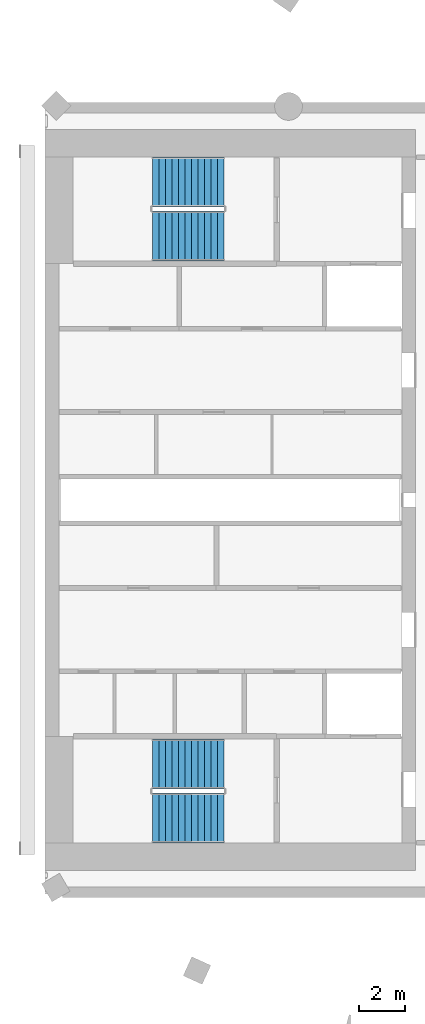
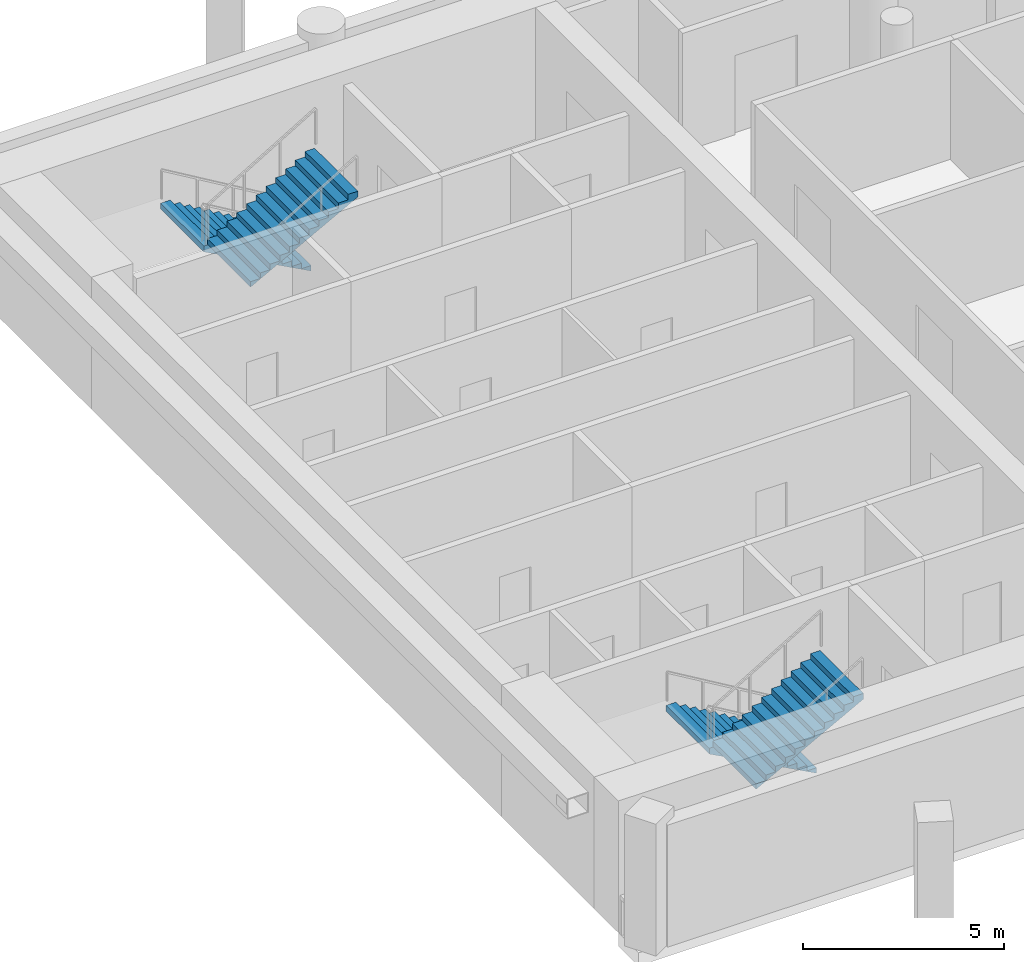
# One storey, part 5 of 9: 4 stair flights, 2 elements without a shape of their own.
"""IFC4 building model written with IfcOpenShell, lengths in metres."""

from ifc_helpers import new_model, si_unit, direction, frame, origin, place, context, subcontext, project, spatial, triangles, material, type_object, element, aggregate, save


model = new_model("IFC4")

# Units and contexts
model_context = context("Model", 3, precision=1e-05, world=origin(), true_north=direction((0.0, 1.0)))
body_context = subcontext(model_context, "Body", "Model", "MODEL_VIEW")
ifc_project = project(units=[si_unit("LENGTHUNIT", "METRE"), si_unit("AREAUNIT", "SQUARE_METRE"), si_unit("VOLUMEUNIT", "CUBIC_METRE"), si_unit("PLANEANGLEUNIT", "RADIAN"), si_unit("MASSUNIT", "GRAM", prefix="KILO")], contexts=[model_context])

# Site, building, storey
site_placement = place(None, origin())
site = spatial("IfcSite", under=ifc_project, at=site_placement, CompositionType="ELEMENT")
building_placement = place(site_placement, origin())
building = spatial("IfcBuilding", under=site, at=building_placement, Name="Cypress Arch Tower", CompositionType="ELEMENT")
storey_placement = place(building_placement, frame((0.0, 0.0, 335.0)))
storey = spatial("IfcBuildingStorey", under=building, at=storey_placement, Name="L76", CompositionType="ELEMENT", Elevation=335.0)

# Stair, stair flights
ifc_material_1 = material(Name="Concrete C40/50", Category="concrete")
stair_type = type_object("IfcStairType", Name="Exit stair ES1667-215", PredefinedType="HALF_TURN_STAIR", material=ifc_material_1)
stair_1_placement = place(storey_placement, origin())
stair_1 = element("IfcStair", 1, at=stair_1_placement, inside=storey, type_object=stair_type, Name="L76 Exit stair A", PredefinedType="HALF_TURN_STAIR")
ifc_material_2 = material(Name="Concrete C40/50", Category="concrete")
stair_flight_type = type_object("IfcStairFlightType", Name="Exit stair flight ES1667-215", PredefinedType="STRAIGHT", material=ifc_material_2)
stair_flight_1_placement = place(storey_placement, frame((-22.27490234375, -11.39990234375, 0.0), z_axis=(0.0, 0.0, 1.0), x_axis=(-1.0, 0.0, 0.0)))
stair_flight_1 = element("IfcStairFlight", 2, at=stair_flight_1_placement, type_object=stair_flight_type, Name="A flight 1", NumberOfRisers=12, NumberOfTreads=11, PredefinedType="STRAIGHT", RiserHeight=0.166666667, TreadLength=0.28, context=body_context, shape_type="Tessellation", body=[
    triangles([(0.0, -1.074951171875, 0.0), (0.000244140625, -1.074951171875, 0.0185546875), (0.000244140625, -1.074951171875, 0.037109375), (0.00048828125, -1.074951171875, 0.0556640625), (0.00048828125, -1.074951171875, 0.07421875), (0.00048828125, -1.074951171875, 0.092529296875), (0.00048828125, -1.074951171875, 0.111083984375), (0.000244140625, -1.074951171875, 0.129638671875), (0.000244140625, -1.074951171875, 0.148193359375), (0.0, -1.074951171875, 0.166748046875), (0.280029296875, -1.074951171875, 0.166748046875), (0.280029296875, -1.074951171875, 0.333251953125), (0.56005859375, -1.074951171875, 0.333251953125), (0.56005859375, -1.074951171875, 0.5), (0.840087890625, -1.074951171875, 0.5), (0.840087890625, -1.074951171875, 0.666748046875), (1.1201171875, -1.074951171875, 0.666748046875), (1.1201171875, -1.074951171875, 0.833251953125), (1.39990234375, -1.074951171875, 0.833251953125), (1.39990234375, -1.074951171875, 1.0), (1.679931640625, -1.074951171875, 1.0), (1.679931640625, -1.074951171875, 1.166748046875), (1.9599609375, -1.074951171875, 1.166748046875), (1.9599609375, -1.074951171875, 1.333251953125), (2.239990234375, -1.074951171875, 1.333251953125), (2.239990234375, -1.074951171875, 1.5), (2.52001953125, -1.074951171875, 1.5), (2.52001953125, -1.074951171875, 1.666748046875), (2.800048828125, -1.074951171875, 1.666748046875), (2.800048828125, -1.074951171875, 1.833251953125), (3.080078125, -1.074951171875, 1.833251953125), (3.079833984375, -1.074951171875, 1.81396484375), (3.079833984375, -1.074951171875, 1.79443359375), (3.07958984375, -1.074951171875, 1.775146484375), (3.07958984375, -1.074951171875, 1.755859375), (3.07958984375, -1.074951171875, 1.736328125), (3.07958984375, -1.074951171875, 1.717041015625), (3.079833984375, -1.074951171875, 1.69775390625), (3.079833984375, -1.074951171875, 1.67822265625), (3.080078125, -1.074951171875, 1.658935546875), (3.080078125, 1.074951171875, 1.658935546875), (3.079833984375, 1.074951171875, 1.67822265625), (3.079833984375, 1.074951171875, 1.69775390625), (3.07958984375, 1.074951171875, 1.717041015625), (3.07958984375, 1.074951171875, 1.736328125), (3.07958984375, 1.074951171875, 1.755859375), (3.07958984375, 1.074951171875, 1.775146484375), (3.079833984375, 1.074951171875, 1.79443359375), (3.079833984375, 1.074951171875, 1.81396484375), (3.080078125, 1.074951171875, 1.833251953125), (2.800048828125, 1.074951171875, 1.833251953125), (2.800048828125, 1.074951171875, 1.666748046875), (2.52001953125, 1.074951171875, 1.666748046875), (2.52001953125, 1.074951171875, 1.5), (2.239990234375, 1.074951171875, 1.5), (2.239990234375, 1.074951171875, 1.333251953125), (1.9599609375, 1.074951171875, 1.333251953125), (1.9599609375, 1.074951171875, 1.166748046875), (1.679931640625, 1.074951171875, 1.166748046875), (1.679931640625, 1.074951171875, 1.0), (1.39990234375, 1.074951171875, 1.0), (1.39990234375, 1.074951171875, 0.833251953125), (1.1201171875, 1.074951171875, 0.833251953125), (1.1201171875, 1.074951171875, 0.666748046875), (0.840087890625, 1.074951171875, 0.666748046875), (0.840087890625, 1.074951171875, 0.5), (0.56005859375, 1.074951171875, 0.5), (0.56005859375, 1.074951171875, 0.333251953125), (0.280029296875, 1.074951171875, 0.333251953125), (0.280029296875, 1.074951171875, 0.166748046875), (0.0, 1.074951171875, 0.166748046875), (0.000244140625, 1.074951171875, 0.148193359375), (0.000244140625, 1.074951171875, 0.129638671875), (0.00048828125, 1.074951171875, 0.111083984375), (0.00048828125, 1.074951171875, 0.092529296875), (0.00048828125, 1.074951171875, 0.07421875), (0.00048828125, 1.074951171875, 0.0556640625), (0.000244140625, 1.074951171875, 0.037109375), (0.000244140625, 1.074951171875, 0.0185546875), (0.0, 1.074951171875, 0.0)], [[40, 39, 30], [39, 38, 30], [38, 37, 30], [37, 36, 30], [36, 35, 30], [35, 34, 30], [34, 33, 30], [33, 32, 30], [32, 31, 30], [29, 28, 27], [27, 26, 25], [23, 22, 21], [21, 20, 19], [17, 16, 15], [15, 14, 13], [10, 9, 11], [9, 8, 11], [8, 7, 11], [7, 6, 11], [6, 5, 11], [5, 4, 11], [4, 3, 11], [3, 2, 11], [2, 1, 11], [19, 18, 17], [25, 24, 23], [13, 12, 11], [40, 30, 29], [40, 29, 27], [40, 27, 25], [40, 25, 23], [40, 23, 21], [40, 21, 19], [40, 19, 17], [40, 17, 15], [40, 15, 13], [1, 40, 13], [13, 11, 1], [41, 51, 42], [42, 51, 43], [43, 51, 44], [44, 51, 45], [45, 51, 46], [46, 51, 47], [47, 51, 48], [48, 51, 49], [49, 51, 50], [52, 54, 53], [54, 56, 55], [58, 60, 59], [60, 62, 61], [64, 66, 65], [66, 68, 67], [71, 70, 72], [72, 70, 73], [73, 70, 74], [74, 70, 75], [75, 70, 76], [76, 70, 77], [77, 70, 78], [78, 70, 79], [79, 70, 80], [62, 64, 63], [56, 58, 57], [68, 70, 69], [41, 52, 51], [41, 54, 52], [41, 56, 54], [41, 58, 56], [41, 60, 58], [41, 62, 60], [41, 64, 62], [41, 66, 64], [41, 68, 66], [80, 68, 41], [68, 80, 70], [41, 42, 39], [41, 39, 40], [42, 43, 38], [42, 38, 39], [43, 44, 37], [43, 37, 38], [44, 45, 36], [44, 36, 37], [45, 46, 35], [45, 35, 36], [46, 47, 34], [46, 34, 35], [47, 48, 33], [47, 33, 34], [48, 49, 32], [48, 32, 33], [49, 50, 31], [49, 31, 32], [50, 51, 30], [50, 30, 31], [51, 52, 29], [51, 29, 30], [52, 53, 28], [52, 28, 29], [53, 54, 27], [53, 27, 28], [54, 55, 26], [54, 26, 27], [55, 56, 25], [55, 25, 26], [56, 57, 24], [56, 24, 25], [57, 58, 23], [57, 23, 24], [58, 59, 22], [58, 22, 23], [59, 60, 21], [59, 21, 22], [60, 61, 20], [60, 20, 21], [61, 62, 19], [61, 19, 20], [62, 63, 18], [62, 18, 19], [63, 64, 17], [63, 17, 18], [64, 65, 16], [64, 16, 17], [65, 66, 15], [65, 15, 16], [66, 67, 14], [66, 14, 15], [67, 68, 13], [67, 13, 14], [68, 69, 12], [68, 12, 13], [69, 70, 11], [69, 11, 12], [70, 71, 10], [70, 10, 11], [71, 72, 9], [71, 9, 10], [72, 73, 8], [72, 8, 9], [73, 74, 7], [73, 7, 8], [74, 75, 6], [74, 6, 7], [75, 76, 5], [75, 5, 6], [76, 77, 4], [76, 4, 5], [77, 78, 3], [77, 3, 4], [78, 79, 2], [78, 2, 3], [79, 80, 1], [79, 1, 2], [80, 41, 40], [80, 40, 1]], closed=True),
])
stair_flight_2_placement = place(storey_placement, frame((-25.35498046875, -13.72509765625, 2.0), z_axis=(0.0, 0.0, 1.0), x_axis=(1.0, 0.0, 0.0)))
stair_flight_2 = element("IfcStairFlight", 3, at=stair_flight_2_placement, type_object=stair_flight_type, Name="A flight 2", NumberOfRisers=12, NumberOfTreads=11, PredefinedType="STRAIGHT", RiserHeight=0.166666667, TreadLength=0.28, context=body_context, shape_type="Tessellation", body=[
    triangles([(0.0, -1.074951171875, 0.0), (0.000244140625, -1.074951171875, 0.0185546875), (0.000244140625, -1.074951171875, 0.037109375), (0.00048828125, -1.074951171875, 0.0556640625), (0.00048828125, -1.074951171875, 0.07421875), (0.00048828125, -1.074951171875, 0.092529296875), (0.00048828125, -1.074951171875, 0.111083984375), (0.000244140625, -1.074951171875, 0.129638671875), (0.000244140625, -1.074951171875, 0.148193359375), (0.0, -1.074951171875, 0.166748046875), (0.280029296875, -1.074951171875, 0.166748046875), (0.280029296875, -1.074951171875, 0.333251953125), (0.56005859375, -1.074951171875, 0.333251953125), (0.56005859375, -1.074951171875, 0.5), (0.840087890625, -1.074951171875, 0.5), (0.840087890625, -1.074951171875, 0.666748046875), (1.1201171875, -1.074951171875, 0.666748046875), (1.1201171875, -1.074951171875, 0.833251953125), (1.39990234375, -1.074951171875, 0.833251953125), (1.39990234375, -1.074951171875, 1.0), (1.679931640625, -1.074951171875, 1.0), (1.679931640625, -1.074951171875, 1.166748046875), (1.9599609375, -1.074951171875, 1.166748046875), (1.9599609375, -1.074951171875, 1.333251953125), (2.239990234375, -1.074951171875, 1.333251953125), (2.239990234375, -1.074951171875, 1.5), (2.52001953125, -1.074951171875, 1.5), (2.52001953125, -1.074951171875, 1.666748046875), (2.800048828125, -1.074951171875, 1.666748046875), (2.800048828125, -1.074951171875, 1.833251953125), (3.080078125, -1.074951171875, 1.833251953125), (3.079833984375, -1.074951171875, 1.81396484375), (3.079833984375, -1.074951171875, 1.79443359375), (3.07958984375, -1.074951171875, 1.775146484375), (3.07958984375, -1.074951171875, 1.755859375), (3.07958984375, -1.074951171875, 1.736328125), (3.07958984375, -1.074951171875, 1.717041015625), (3.079833984375, -1.074951171875, 1.69775390625), (3.079833984375, -1.074951171875, 1.67822265625), (3.080078125, -1.074951171875, 1.658935546875), (3.080078125, 1.074951171875, 1.658935546875), (3.079833984375, 1.074951171875, 1.67822265625), (3.079833984375, 1.074951171875, 1.69775390625), (3.07958984375, 1.074951171875, 1.717041015625), (3.07958984375, 1.074951171875, 1.736328125), (3.07958984375, 1.074951171875, 1.755859375), (3.07958984375, 1.074951171875, 1.775146484375), (3.079833984375, 1.074951171875, 1.79443359375), (3.079833984375, 1.074951171875, 1.81396484375), (3.080078125, 1.074951171875, 1.833251953125), (2.800048828125, 1.074951171875, 1.833251953125), (2.800048828125, 1.074951171875, 1.666748046875), (2.52001953125, 1.074951171875, 1.666748046875), (2.52001953125, 1.074951171875, 1.5), (2.239990234375, 1.074951171875, 1.5), (2.239990234375, 1.074951171875, 1.333251953125), (1.9599609375, 1.074951171875, 1.333251953125), (1.9599609375, 1.074951171875, 1.166748046875), (1.679931640625, 1.074951171875, 1.166748046875), (1.679931640625, 1.074951171875, 1.0), (1.39990234375, 1.074951171875, 1.0), (1.39990234375, 1.074951171875, 0.833251953125), (1.1201171875, 1.074951171875, 0.833251953125), (1.1201171875, 1.074951171875, 0.666748046875), (0.840087890625, 1.074951171875, 0.666748046875), (0.840087890625, 1.074951171875, 0.5), (0.56005859375, 1.074951171875, 0.5), (0.56005859375, 1.074951171875, 0.333251953125), (0.280029296875, 1.074951171875, 0.333251953125), (0.280029296875, 1.074951171875, 0.166748046875), (0.0, 1.074951171875, 0.166748046875), (0.000244140625, 1.074951171875, 0.148193359375), (0.000244140625, 1.074951171875, 0.129638671875), (0.00048828125, 1.074951171875, 0.111083984375), (0.00048828125, 1.074951171875, 0.092529296875), (0.00048828125, 1.074951171875, 0.07421875), (0.00048828125, 1.074951171875, 0.0556640625), (0.000244140625, 1.074951171875, 0.037109375), (0.000244140625, 1.074951171875, 0.0185546875), (0.0, 1.074951171875, 0.0)], [[40, 39, 30], [39, 38, 30], [38, 37, 30], [37, 36, 30], [36, 35, 30], [35, 34, 30], [34, 33, 30], [33, 32, 30], [32, 31, 30], [29, 28, 27], [27, 26, 25], [23, 22, 21], [21, 20, 19], [17, 16, 15], [15, 14, 13], [10, 9, 11], [9, 8, 11], [8, 7, 11], [7, 6, 11], [6, 5, 11], [5, 4, 11], [4, 3, 11], [3, 2, 11], [2, 1, 11], [19, 18, 17], [25, 24, 23], [13, 12, 11], [40, 30, 29], [40, 29, 27], [40, 27, 25], [40, 25, 23], [40, 23, 21], [40, 21, 19], [40, 19, 17], [40, 17, 15], [40, 15, 13], [1, 40, 13], [13, 11, 1], [41, 51, 42], [42, 51, 43], [43, 51, 44], [44, 51, 45], [45, 51, 46], [46, 51, 47], [47, 51, 48], [48, 51, 49], [49, 51, 50], [52, 54, 53], [54, 56, 55], [58, 60, 59], [60, 62, 61], [64, 66, 65], [66, 68, 67], [71, 70, 72], [72, 70, 73], [73, 70, 74], [74, 70, 75], [75, 70, 76], [76, 70, 77], [77, 70, 78], [78, 70, 79], [79, 70, 80], [62, 64, 63], [56, 58, 57], [68, 70, 69], [41, 52, 51], [41, 54, 52], [41, 56, 54], [41, 58, 56], [41, 60, 58], [41, 62, 60], [41, 64, 62], [41, 66, 64], [41, 68, 66], [80, 68, 41], [68, 80, 70], [41, 42, 39], [41, 39, 40], [42, 43, 38], [42, 38, 39], [43, 44, 37], [43, 37, 38], [44, 45, 36], [44, 36, 37], [45, 46, 35], [45, 35, 36], [46, 47, 34], [46, 34, 35], [47, 48, 33], [47, 33, 34], [48, 49, 32], [48, 32, 33], [49, 50, 31], [49, 31, 32], [50, 51, 30], [50, 30, 31], [51, 52, 29], [51, 29, 30], [52, 53, 28], [52, 28, 29], [53, 54, 27], [53, 27, 28], [54, 55, 26], [54, 26, 27], [55, 56, 25], [55, 25, 26], [56, 57, 24], [56, 24, 25], [57, 58, 23], [57, 23, 24], [58, 59, 22], [58, 22, 23], [59, 60, 21], [59, 21, 22], [60, 61, 20], [60, 20, 21], [61, 62, 19], [61, 19, 20], [62, 63, 18], [62, 18, 19], [63, 64, 17], [63, 17, 18], [64, 65, 16], [64, 16, 17], [65, 66, 15], [65, 15, 16], [66, 67, 14], [66, 14, 15], [67, 68, 13], [67, 13, 14], [68, 69, 12], [68, 12, 13], [69, 70, 11], [69, 11, 12], [70, 71, 10], [70, 10, 11], [71, 72, 9], [71, 9, 10], [72, 73, 8], [72, 8, 9], [73, 74, 7], [73, 7, 8], [74, 75, 6], [74, 6, 7], [75, 76, 5], [75, 5, 6], [76, 77, 4], [76, 4, 5], [77, 78, 3], [77, 3, 4], [78, 79, 2], [78, 2, 3], [79, 80, 1], [79, 1, 2], [80, 41, 40], [80, 40, 1]], closed=True),
])
aggregate(stair_1, [stair_flight_1, stair_flight_2])

stair_2_placement = place(storey_placement, origin())
stair_2 = element("IfcStair", 4, at=stair_2_placement, inside=storey, type_object=stair_type, Name="L76 Exit stair B", PredefinedType="HALF_TURN_STAIR")
stair_flight_3_placement = place(storey_placement, frame((-22.27490234375, 13.72509765625, 0.0), z_axis=(0.0, 0.0, 1.0), x_axis=(-1.0, 0.0, 0.0)))
stair_flight_3 = element("IfcStairFlight", 5, at=stair_flight_3_placement, type_object=stair_flight_type, Name="B flight 1", NumberOfRisers=12, NumberOfTreads=11, PredefinedType="STRAIGHT", RiserHeight=0.166666667, TreadLength=0.28, context=body_context, shape_type="Tessellation", body=[
    triangles([(0.0, -1.074951171875, 0.0), (0.000244140625, -1.074951171875, 0.0185546875), (0.000244140625, -1.074951171875, 0.037109375), (0.00048828125, -1.074951171875, 0.0556640625), (0.00048828125, -1.074951171875, 0.07421875), (0.00048828125, -1.074951171875, 0.092529296875), (0.00048828125, -1.074951171875, 0.111083984375), (0.000244140625, -1.074951171875, 0.129638671875), (0.000244140625, -1.074951171875, 0.148193359375), (0.0, -1.074951171875, 0.166748046875), (0.280029296875, -1.074951171875, 0.166748046875), (0.280029296875, -1.074951171875, 0.333251953125), (0.56005859375, -1.074951171875, 0.333251953125), (0.56005859375, -1.074951171875, 0.5), (0.840087890625, -1.074951171875, 0.5), (0.840087890625, -1.074951171875, 0.666748046875), (1.1201171875, -1.074951171875, 0.666748046875), (1.1201171875, -1.074951171875, 0.833251953125), (1.39990234375, -1.074951171875, 0.833251953125), (1.39990234375, -1.074951171875, 1.0), (1.679931640625, -1.074951171875, 1.0), (1.679931640625, -1.074951171875, 1.166748046875), (1.9599609375, -1.074951171875, 1.166748046875), (1.9599609375, -1.074951171875, 1.333251953125), (2.239990234375, -1.074951171875, 1.333251953125), (2.239990234375, -1.074951171875, 1.5), (2.52001953125, -1.074951171875, 1.5), (2.52001953125, -1.074951171875, 1.666748046875), (2.800048828125, -1.074951171875, 1.666748046875), (2.800048828125, -1.074951171875, 1.833251953125), (3.080078125, -1.074951171875, 1.833251953125), (3.079833984375, -1.074951171875, 1.81396484375), (3.079833984375, -1.074951171875, 1.79443359375), (3.07958984375, -1.074951171875, 1.775146484375), (3.07958984375, -1.074951171875, 1.755859375), (3.07958984375, -1.074951171875, 1.736328125), (3.07958984375, -1.074951171875, 1.717041015625), (3.079833984375, -1.074951171875, 1.69775390625), (3.079833984375, -1.074951171875, 1.67822265625), (3.080078125, -1.074951171875, 1.658935546875), (3.080078125, 1.074951171875, 1.658935546875), (3.079833984375, 1.074951171875, 1.67822265625), (3.079833984375, 1.074951171875, 1.69775390625), (3.07958984375, 1.074951171875, 1.717041015625), (3.07958984375, 1.074951171875, 1.736328125), (3.07958984375, 1.074951171875, 1.755859375), (3.07958984375, 1.074951171875, 1.775146484375), (3.079833984375, 1.074951171875, 1.79443359375), (3.079833984375, 1.074951171875, 1.81396484375), (3.080078125, 1.074951171875, 1.833251953125), (2.800048828125, 1.074951171875, 1.833251953125), (2.800048828125, 1.074951171875, 1.666748046875), (2.52001953125, 1.074951171875, 1.666748046875), (2.52001953125, 1.074951171875, 1.5), (2.239990234375, 1.074951171875, 1.5), (2.239990234375, 1.074951171875, 1.333251953125), (1.9599609375, 1.074951171875, 1.333251953125), (1.9599609375, 1.074951171875, 1.166748046875), (1.679931640625, 1.074951171875, 1.166748046875), (1.679931640625, 1.074951171875, 1.0), (1.39990234375, 1.074951171875, 1.0), (1.39990234375, 1.074951171875, 0.833251953125), (1.1201171875, 1.074951171875, 0.833251953125), (1.1201171875, 1.074951171875, 0.666748046875), (0.840087890625, 1.074951171875, 0.666748046875), (0.840087890625, 1.074951171875, 0.5), (0.56005859375, 1.074951171875, 0.5), (0.56005859375, 1.074951171875, 0.333251953125), (0.280029296875, 1.074951171875, 0.333251953125), (0.280029296875, 1.074951171875, 0.166748046875), (0.0, 1.074951171875, 0.166748046875), (0.000244140625, 1.074951171875, 0.148193359375), (0.000244140625, 1.074951171875, 0.129638671875), (0.00048828125, 1.074951171875, 0.111083984375), (0.00048828125, 1.074951171875, 0.092529296875), (0.00048828125, 1.074951171875, 0.07421875), (0.00048828125, 1.074951171875, 0.0556640625), (0.000244140625, 1.074951171875, 0.037109375), (0.000244140625, 1.074951171875, 0.0185546875), (0.0, 1.074951171875, 0.0)], [[40, 39, 30], [39, 38, 30], [38, 37, 30], [37, 36, 30], [36, 35, 30], [35, 34, 30], [34, 33, 30], [33, 32, 30], [32, 31, 30], [29, 28, 27], [27, 26, 25], [23, 22, 21], [21, 20, 19], [17, 16, 15], [15, 14, 13], [10, 9, 11], [9, 8, 11], [8, 7, 11], [7, 6, 11], [6, 5, 11], [5, 4, 11], [4, 3, 11], [3, 2, 11], [2, 1, 11], [19, 18, 17], [25, 24, 23], [13, 12, 11], [40, 30, 29], [40, 29, 27], [40, 27, 25], [40, 25, 23], [40, 23, 21], [40, 21, 19], [40, 19, 17], [40, 17, 15], [40, 15, 13], [1, 40, 13], [13, 11, 1], [41, 51, 42], [42, 51, 43], [43, 51, 44], [44, 51, 45], [45, 51, 46], [46, 51, 47], [47, 51, 48], [48, 51, 49], [49, 51, 50], [52, 54, 53], [54, 56, 55], [58, 60, 59], [60, 62, 61], [64, 66, 65], [66, 68, 67], [71, 70, 72], [72, 70, 73], [73, 70, 74], [74, 70, 75], [75, 70, 76], [76, 70, 77], [77, 70, 78], [78, 70, 79], [79, 70, 80], [62, 64, 63], [56, 58, 57], [68, 70, 69], [41, 52, 51], [41, 54, 52], [41, 56, 54], [41, 58, 56], [41, 60, 58], [41, 62, 60], [41, 64, 62], [41, 66, 64], [41, 68, 66], [80, 68, 41], [68, 80, 70], [41, 42, 39], [41, 39, 40], [42, 43, 38], [42, 38, 39], [43, 44, 37], [43, 37, 38], [44, 45, 36], [44, 36, 37], [45, 46, 35], [45, 35, 36], [46, 47, 34], [46, 34, 35], [47, 48, 33], [47, 33, 34], [48, 49, 32], [48, 32, 33], [49, 50, 31], [49, 31, 32], [50, 51, 30], [50, 30, 31], [51, 52, 29], [51, 29, 30], [52, 53, 28], [52, 28, 29], [53, 54, 27], [53, 27, 28], [54, 55, 26], [54, 26, 27], [55, 56, 25], [55, 25, 26], [56, 57, 24], [56, 24, 25], [57, 58, 23], [57, 23, 24], [58, 59, 22], [58, 22, 23], [59, 60, 21], [59, 21, 22], [60, 61, 20], [60, 20, 21], [61, 62, 19], [61, 19, 20], [62, 63, 18], [62, 18, 19], [63, 64, 17], [63, 17, 18], [64, 65, 16], [64, 16, 17], [65, 66, 15], [65, 15, 16], [66, 67, 14], [66, 14, 15], [67, 68, 13], [67, 13, 14], [68, 69, 12], [68, 12, 13], [69, 70, 11], [69, 11, 12], [70, 71, 10], [70, 10, 11], [71, 72, 9], [71, 9, 10], [72, 73, 8], [72, 8, 9], [73, 74, 7], [73, 7, 8], [74, 75, 6], [74, 6, 7], [75, 76, 5], [75, 5, 6], [76, 77, 4], [76, 4, 5], [77, 78, 3], [77, 3, 4], [78, 79, 2], [78, 2, 3], [79, 80, 1], [79, 1, 2], [80, 41, 40], [80, 40, 1]], closed=True),
])
stair_flight_4_placement = place(storey_placement, frame((-25.35498046875, 11.39990234375, 2.0), z_axis=(0.0, 0.0, 1.0), x_axis=(1.0, 0.0, 0.0)))
stair_flight_4 = element("IfcStairFlight", 6, at=stair_flight_4_placement, type_object=stair_flight_type, Name="B flight 2", NumberOfRisers=12, NumberOfTreads=11, PredefinedType="STRAIGHT", RiserHeight=0.166666667, TreadLength=0.28, context=body_context, shape_type="Tessellation", body=[
    triangles([(0.0, -1.074951171875, 0.0), (0.000244140625, -1.074951171875, 0.0185546875), (0.000244140625, -1.074951171875, 0.037109375), (0.00048828125, -1.074951171875, 0.0556640625), (0.00048828125, -1.074951171875, 0.07421875), (0.00048828125, -1.074951171875, 0.092529296875), (0.00048828125, -1.074951171875, 0.111083984375), (0.000244140625, -1.074951171875, 0.129638671875), (0.000244140625, -1.074951171875, 0.148193359375), (0.0, -1.074951171875, 0.166748046875), (0.280029296875, -1.074951171875, 0.166748046875), (0.280029296875, -1.074951171875, 0.333251953125), (0.56005859375, -1.074951171875, 0.333251953125), (0.56005859375, -1.074951171875, 0.5), (0.840087890625, -1.074951171875, 0.5), (0.840087890625, -1.074951171875, 0.666748046875), (1.1201171875, -1.074951171875, 0.666748046875), (1.1201171875, -1.074951171875, 0.833251953125), (1.39990234375, -1.074951171875, 0.833251953125), (1.39990234375, -1.074951171875, 1.0), (1.679931640625, -1.074951171875, 1.0), (1.679931640625, -1.074951171875, 1.166748046875), (1.9599609375, -1.074951171875, 1.166748046875), (1.9599609375, -1.074951171875, 1.333251953125), (2.239990234375, -1.074951171875, 1.333251953125), (2.239990234375, -1.074951171875, 1.5), (2.52001953125, -1.074951171875, 1.5), (2.52001953125, -1.074951171875, 1.666748046875), (2.800048828125, -1.074951171875, 1.666748046875), (2.800048828125, -1.074951171875, 1.833251953125), (3.080078125, -1.074951171875, 1.833251953125), (3.079833984375, -1.074951171875, 1.81396484375), (3.079833984375, -1.074951171875, 1.79443359375), (3.07958984375, -1.074951171875, 1.775146484375), (3.07958984375, -1.074951171875, 1.755859375), (3.07958984375, -1.074951171875, 1.736328125), (3.07958984375, -1.074951171875, 1.717041015625), (3.079833984375, -1.074951171875, 1.69775390625), (3.079833984375, -1.074951171875, 1.67822265625), (3.080078125, -1.074951171875, 1.658935546875), (3.080078125, 1.074951171875, 1.658935546875), (3.079833984375, 1.074951171875, 1.67822265625), (3.079833984375, 1.074951171875, 1.69775390625), (3.07958984375, 1.074951171875, 1.717041015625), (3.07958984375, 1.074951171875, 1.736328125), (3.07958984375, 1.074951171875, 1.755859375), (3.07958984375, 1.074951171875, 1.775146484375), (3.079833984375, 1.074951171875, 1.79443359375), (3.079833984375, 1.074951171875, 1.81396484375), (3.080078125, 1.074951171875, 1.833251953125), (2.800048828125, 1.074951171875, 1.833251953125), (2.800048828125, 1.074951171875, 1.666748046875), (2.52001953125, 1.074951171875, 1.666748046875), (2.52001953125, 1.074951171875, 1.5), (2.239990234375, 1.074951171875, 1.5), (2.239990234375, 1.074951171875, 1.333251953125), (1.9599609375, 1.074951171875, 1.333251953125), (1.9599609375, 1.074951171875, 1.166748046875), (1.679931640625, 1.074951171875, 1.166748046875), (1.679931640625, 1.074951171875, 1.0), (1.39990234375, 1.074951171875, 1.0), (1.39990234375, 1.074951171875, 0.833251953125), (1.1201171875, 1.074951171875, 0.833251953125), (1.1201171875, 1.074951171875, 0.666748046875), (0.840087890625, 1.074951171875, 0.666748046875), (0.840087890625, 1.074951171875, 0.5), (0.56005859375, 1.074951171875, 0.5), (0.56005859375, 1.074951171875, 0.333251953125), (0.280029296875, 1.074951171875, 0.333251953125), (0.280029296875, 1.074951171875, 0.166748046875), (0.0, 1.074951171875, 0.166748046875), (0.000244140625, 1.074951171875, 0.148193359375), (0.000244140625, 1.074951171875, 0.129638671875), (0.00048828125, 1.074951171875, 0.111083984375), (0.00048828125, 1.074951171875, 0.092529296875), (0.00048828125, 1.074951171875, 0.07421875), (0.00048828125, 1.074951171875, 0.0556640625), (0.000244140625, 1.074951171875, 0.037109375), (0.000244140625, 1.074951171875, 0.0185546875), (0.0, 1.074951171875, 0.0)], [[40, 39, 30], [39, 38, 30], [38, 37, 30], [37, 36, 30], [36, 35, 30], [35, 34, 30], [34, 33, 30], [33, 32, 30], [32, 31, 30], [29, 28, 27], [27, 26, 25], [23, 22, 21], [21, 20, 19], [17, 16, 15], [15, 14, 13], [10, 9, 11], [9, 8, 11], [8, 7, 11], [7, 6, 11], [6, 5, 11], [5, 4, 11], [4, 3, 11], [3, 2, 11], [2, 1, 11], [19, 18, 17], [25, 24, 23], [13, 12, 11], [40, 30, 29], [40, 29, 27], [40, 27, 25], [40, 25, 23], [40, 23, 21], [40, 21, 19], [40, 19, 17], [40, 17, 15], [40, 15, 13], [1, 40, 13], [13, 11, 1], [41, 51, 42], [42, 51, 43], [43, 51, 44], [44, 51, 45], [45, 51, 46], [46, 51, 47], [47, 51, 48], [48, 51, 49], [49, 51, 50], [52, 54, 53], [54, 56, 55], [58, 60, 59], [60, 62, 61], [64, 66, 65], [66, 68, 67], [71, 70, 72], [72, 70, 73], [73, 70, 74], [74, 70, 75], [75, 70, 76], [76, 70, 77], [77, 70, 78], [78, 70, 79], [79, 70, 80], [62, 64, 63], [56, 58, 57], [68, 70, 69], [41, 52, 51], [41, 54, 52], [41, 56, 54], [41, 58, 56], [41, 60, 58], [41, 62, 60], [41, 64, 62], [41, 66, 64], [41, 68, 66], [80, 68, 41], [68, 80, 70], [41, 42, 39], [41, 39, 40], [42, 43, 38], [42, 38, 39], [43, 44, 37], [43, 37, 38], [44, 45, 36], [44, 36, 37], [45, 46, 35], [45, 35, 36], [46, 47, 34], [46, 34, 35], [47, 48, 33], [47, 33, 34], [48, 49, 32], [48, 32, 33], [49, 50, 31], [49, 31, 32], [50, 51, 30], [50, 30, 31], [51, 52, 29], [51, 29, 30], [52, 53, 28], [52, 28, 29], [53, 54, 27], [53, 27, 28], [54, 55, 26], [54, 26, 27], [55, 56, 25], [55, 25, 26], [56, 57, 24], [56, 24, 25], [57, 58, 23], [57, 23, 24], [58, 59, 22], [58, 22, 23], [59, 60, 21], [59, 21, 22], [60, 61, 20], [60, 20, 21], [61, 62, 19], [61, 19, 20], [62, 63, 18], [62, 18, 19], [63, 64, 17], [63, 17, 18], [64, 65, 16], [64, 16, 17], [65, 66, 15], [65, 15, 16], [66, 67, 14], [66, 14, 15], [67, 68, 13], [67, 13, 14], [68, 69, 12], [68, 12, 13], [69, 70, 11], [69, 11, 12], [70, 71, 10], [70, 10, 11], [71, 72, 9], [71, 9, 10], [72, 73, 8], [72, 8, 9], [73, 74, 7], [73, 7, 8], [74, 75, 6], [74, 6, 7], [75, 76, 5], [75, 5, 6], [76, 77, 4], [76, 4, 5], [77, 78, 3], [77, 3, 4], [78, 79, 2], [78, 2, 3], [79, 80, 1], [79, 1, 2], [80, 41, 40], [80, 40, 1]], closed=True),
])
aggregate(stair_2, [stair_flight_3, stair_flight_4])

save(model, "model.ifc")
